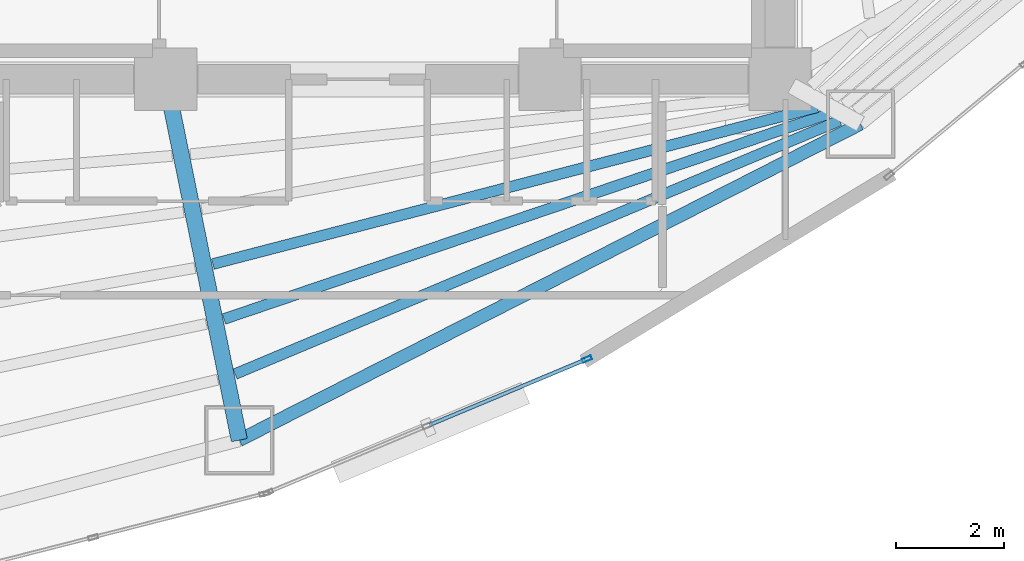
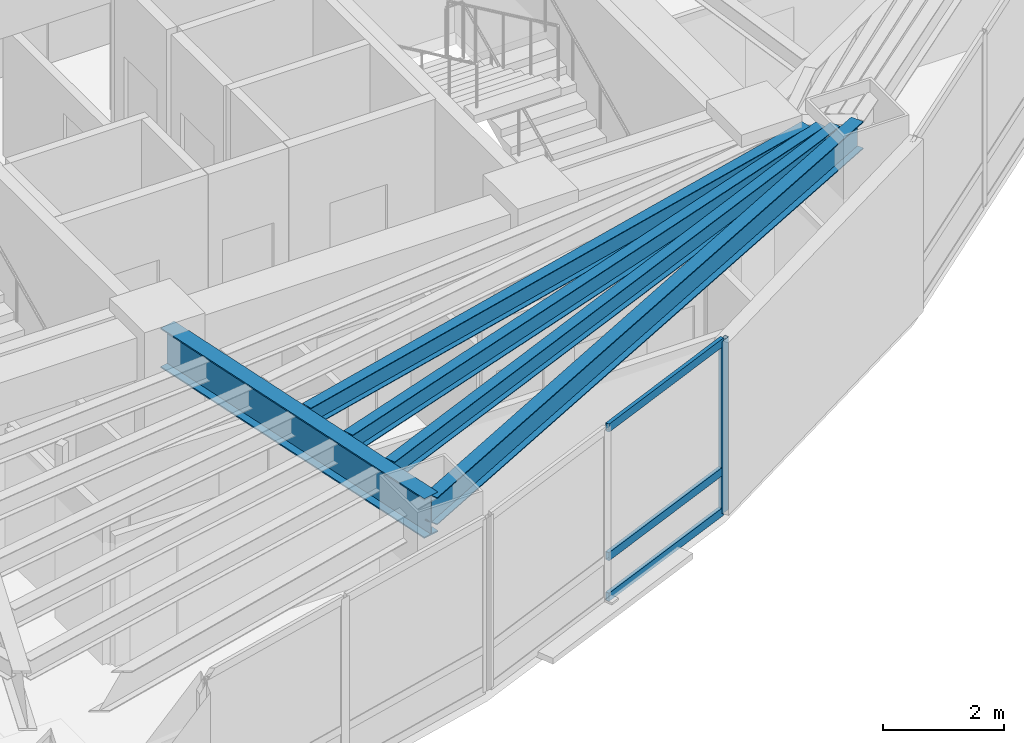
# One storey, part 6 of 23: 5 beams, 4 members, 1 element without a shape of its own.
"""IFC4 building model written with IfcOpenShell, lengths in metres."""

from ifc_helpers import new_model, si_unit, direction, frame, origin, origin_2d, place, context, subcontext, project, spatial, hollow_rectangle, i_section, extrude, material, layer, layer_set, material_profile, profile_set, type_object, element, aggregate, save


model = new_model("IFC4")

# Units and contexts
model_context = context("Model", 3, precision=1e-05, world=origin(), true_north=direction((0.0, 1.0)))
body_context = subcontext(model_context, "Body", "Model", "MODEL_VIEW")
ifc_project = project(units=[si_unit("LENGTHUNIT", "METRE"), si_unit("AREAUNIT", "SQUARE_METRE"), si_unit("VOLUMEUNIT", "CUBIC_METRE"), si_unit("PLANEANGLEUNIT", "RADIAN"), si_unit("MASSUNIT", "GRAM", prefix="KILO")], contexts=[model_context])

# Site, building, storey
site_placement = place(None, origin())
site = spatial("IfcSite", under=ifc_project, at=site_placement, CompositionType="ELEMENT")
building_placement = place(site_placement, origin())
building = spatial("IfcBuilding", under=site, at=building_placement, Name="Menara Vayukalpa", CompositionType="ELEMENT")
storey_placement = place(building_placement, frame((0.0, 0.0, 111.419921875)))
storey = spatial("IfcBuildingStorey", under=building, at=storey_placement, Name="L27", CompositionType="ELEMENT", Elevation=111.419921875)

# Beams
ifc_material_1 = material(Name="Steel S355", Category="steel")
ifc_material_profile_1 = material_profile(ifc_material_1, i_section(OverallWidth=0.300048828125, OverallDepth=0.800048828125, WebThickness=0.013916015625, FlangeThickness=0.02587890625, at=origin_2d()), Name="WF 800x300x14x26")
ifc_profile_set_1 = profile_set([ifc_material_profile_1], Name="Steel S355")
beam_type_1 = type_object("IfcBeamType", Name="BM-PG3", PredefinedType="BEAM", material=ifc_profile_set_1)
beam_1_placement = place(storey_placement, frame((22.099853515625, 16.955078125, 3.070068359375), z_axis=(0.199617728418, -0.9798738503, 0.0), x_axis=(0.9798738503, 0.199617728418, 0.0)))
element("IfcBeam", 1, at=beam_1_placement, inside=storey, type_object=beam_type_1, Name="L27 Primary Radial Girder RG08", PredefinedType="BEAM", context=body_context, shape_type="SweptSolid", body=[
    extrude(i_section(OverallWidth=0.300048828125, OverallDepth=0.800048828125, WebThickness=0.013916015625, FlangeThickness=0.02587890625, at=origin_2d()), origin(), (0.0, 0.0, 1.0), 6.55419921875),
])
ifc_material_2 = material(Name="Steel S355", Category="steel")
ifc_material_profile_2 = material_profile(ifc_material_2, i_section(OverallWidth=0.199951171875, OverallDepth=0.39990234375, WebThickness=0.008056640625, FlangeThickness=0.012939453125, at=origin_2d()), Name="WF 400x200x8x13")
ifc_profile_set_2 = profile_set([ifc_material_profile_2], Name="Steel S355")
beam_type_2 = type_object("IfcBeamType", Name="BM-SJ2", PredefinedType="JOIST", material=ifc_profile_set_2)
beam_2_placement = place(storey_placement, frame((22.918701171875, 13.78662109375, 3.27001953125), z_axis=(0.967921665574, 0.251252162802, 0.0), x_axis=(-0.251252162802, 0.967921665574, 0.0)))
element("IfcBeam", 2, at=beam_2_placement, inside=storey, type_object=beam_type_2, Name="L27 Secondary Floor Joist SJ08-3", PredefinedType="JOIST", context=body_context, shape_type="SweptSolid", body=[
    extrude(i_section(OverallWidth=0.199951171875, OverallDepth=0.39990234375, WebThickness=0.008056640625, FlangeThickness=0.012939453125, at=origin_2d()), origin(), (0.0, 0.0, 1.0), 11.539794921875),
])
beam_3_placement = place(storey_placement, frame((23.12451171875, 12.77099609375, 3.27001953125), z_axis=(0.94694934653, 0.321382848183, 0.0), x_axis=(-0.321382848183, 0.94694934653, 0.0)))
element("IfcBeam", 3, at=beam_3_placement, inside=storey, type_object=beam_type_2, Name="L27 Secondary Floor Joist SJ08-4", PredefinedType="JOIST", context=body_context, shape_type="SweptSolid", body=[
    extrude(i_section(OverallWidth=0.199951171875, OverallDepth=0.39990234375, WebThickness=0.008056640625, FlangeThickness=0.012939453125, at=origin_2d()), origin(), (0.0, 0.0, 1.0), 11.7958984375),
])
beam_4_placement = place(storey_placement, frame((23.32958984375, 11.75439453125, 3.27001953125), z_axis=(0.922216637658, 0.386673600375, 0.0), x_axis=(-0.386673600375, 0.922216637658, 0.0)))
element("IfcBeam", 4, at=beam_4_placement, inside=storey, type_object=beam_type_2, Name="L27 Secondary Floor Joist SJ08-5", PredefinedType="JOIST", context=body_context, shape_type="SweptSolid", body=[
    extrude(i_section(OverallWidth=0.199951171875, OverallDepth=0.39990234375, WebThickness=0.008056640625, FlangeThickness=0.012939453125, at=origin_2d()), origin(), (0.0, 0.0, 1.0), 12.114501953125),
])
ifc_material_3 = material(Name="Steel S355", Category="steel")
ifc_material_profile_3 = material_profile(ifc_material_3, i_section(OverallWidth=0.239990234375, OverallDepth=0.550048828125, WebThickness=0.010986328125, FlangeThickness=0.01904296875, at=origin_2d()), Name="WF 550x240x11x19")
ifc_profile_set_3 = profile_set([ifc_material_profile_3], Name="Steel S355")
beam_type_3 = type_object("IfcBeamType", Name="BM-SP2", PredefinedType="SPANDREL", material=ifc_profile_set_3)
beam_5_placement = place(storey_placement, frame((23.408203125, 10.53271484375, 3.195068359375), z_axis=(0.891097345221, 0.453812209333, 0.0), x_axis=(-0.453812209333, 0.891097345221, 0.0)))
element("IfcBeam", 5, at=beam_5_placement, inside=storey, type_object=beam_type_3, Name="L27 Perimeter Spandrel Beam SP08", PredefinedType="SPANDREL", context=body_context, shape_type="SweptSolid", body=[
    extrude(i_section(OverallWidth=0.239990234375, OverallDepth=0.550048828125, WebThickness=0.010986328125, FlangeThickness=0.01904296875, at=origin_2d()), origin(), (0.0, 0.0, 1.0), 12.88134765625),
])

# Curtain wall, members
ifc_material_4 = material(Name="Anodised Terracotta Aluminium Alloy 6063-T6", Category="masonry")
ifc_layer = layer(ifc_material_4, 0.179931640625)
ifc_layer_set = layer_set([ifc_layer], Name="Anodised Terracotta Aluminium Alloy 6063-T6")
curtain_wall_type = type_object("IfcCurtainWallType", Name="CW-CW4", PredefinedType="USERDEFINED", material=ifc_layer_set)
curtain_wall_placement = place(storey_placement, origin())
curtain_wall = element("IfcCurtainWall", 6, at=curtain_wall_placement, inside=storey, type_object=curtain_wall_type, Name="L27 Sky Bar Cantilever Glazed Curtain Wall CW4 17", ObjectType="UNITISED", PredefinedType="USERDEFINED")
ifc_material_5 = material(Name="Anodised Terracotta Aluminium Alloy 6063-T6", Category="masonry")
ifc_material_profile_4 = material_profile(ifc_material_5, hollow_rectangle(XDim=0.074951171875, YDim=0.179931640625, WallThickness=0.00390625, at=origin_2d()), Name="ALU 75x180x4")
ifc_profile_set_4 = profile_set([ifc_material_profile_4], Name="Anodised Terracotta Aluminium Alloy 6063-T6")
member_type_1 = type_object("IfcMemberType", Name="CWM-CW4", PredefinedType="MULLION", material=ifc_profile_set_4)
member_1_placement = place(storey_placement, frame((29.831298828125, 12.0302734375, 0.0), z_axis=(0.0, 0.0, 1.0), x_axis=(-0.38589358437, 0.922543300632, 0.0)))
member_1 = element("IfcMember", 7, at=member_1_placement, type_object=member_type_1, Name="CW4 mullion 3", PredefinedType="MULLION", context=body_context, shape_type="SweptSolid", body=[
    extrude(hollow_rectangle(XDim=0.074951171875, YDim=0.179931640625, WallThickness=0.00390625, at=origin_2d()), origin(), (0.0, 0.0, 1.0), 3.469970703125),
])
ifc_material_6 = material(Name="Anodised Terracotta Aluminium Alloy 6063-T6", Category="masonry")
ifc_material_profile_5 = material_profile(ifc_material_6, hollow_rectangle(XDim=0.070068359375, YDim=0.1650390625, WallThickness=0.00390625, at=origin_2d()), Name="ALU 70x165x4")
ifc_profile_set_5 = profile_set([ifc_material_profile_5], Name="Anodised Terracotta Aluminium Alloy 6063-T6")
member_type_2 = type_object("IfcMemberType", Name="CWT-CW4", PredefinedType="USERDEFINED", material=ifc_profile_set_5)
member_2_placement = place(storey_placement, frame((26.921142578125, 10.81298828125, 0.03515625), z_axis=(0.922533742775, 0.385916433236, 0.0), x_axis=(-0.385916433236, 0.922533742775, 0.0)))
member_2 = element("IfcMember", 8, at=member_2_placement, type_object=member_type_2, Name="CW4 transom 2.1", ObjectType="TRANSOM", PredefinedType="USERDEFINED", context=body_context, shape_type="SweptSolid", body=[
    extrude(hollow_rectangle(XDim=0.070068359375, YDim=0.1650390625, WallThickness=0.00390625, at=origin_2d()), origin(), (0.0, 0.0, 1.0), 3.116943359375),
])
member_3_placement = place(storey_placement, frame((26.921142578125, 10.81298828125, 0.85009765625), z_axis=(0.922533742775, 0.385916433236, 0.0), x_axis=(-0.385916433236, 0.922533742775, 0.0)))
member_3 = element("IfcMember", 9, at=member_3_placement, type_object=member_type_2, Name="CW4 transom 2.2", ObjectType="TRANSOM", PredefinedType="USERDEFINED", context=body_context, shape_type="SweptSolid", body=[
    extrude(hollow_rectangle(XDim=0.070068359375, YDim=0.1650390625, WallThickness=0.00390625, at=origin_2d()), origin(), (0.0, 0.0, 1.0), 3.116943359375),
])
member_4_placement = place(storey_placement, frame((26.921142578125, 10.81298828125, 3.43505859375), z_axis=(0.922533742775, 0.385916433236, 0.0), x_axis=(-0.385916433236, 0.922533742775, 0.0)))
member_4 = element("IfcMember", 10, at=member_4_placement, type_object=member_type_2, Name="CW4 transom 2.3", ObjectType="TRANSOM", PredefinedType="USERDEFINED", context=body_context, shape_type="SweptSolid", body=[
    extrude(hollow_rectangle(XDim=0.070068359375, YDim=0.1650390625, WallThickness=0.00390625, at=origin_2d()), origin(), (0.0, 0.0, 1.0), 3.116943359375),
])
aggregate(curtain_wall, [member_1, member_2, member_3, member_4])

save(model, "model.ifc")
